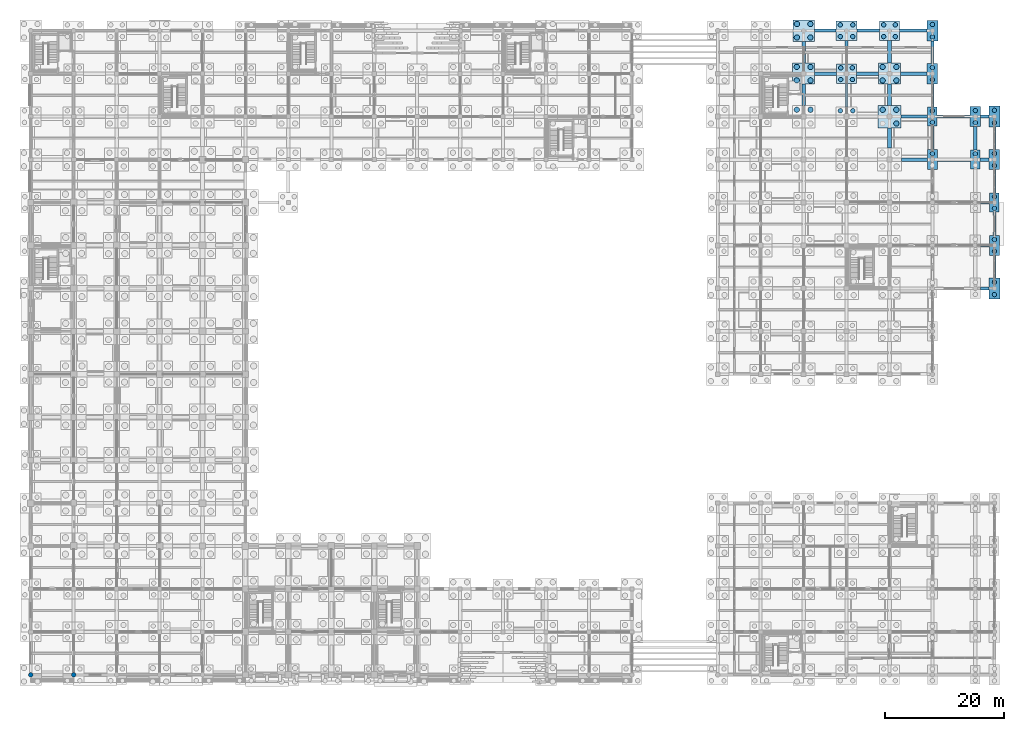
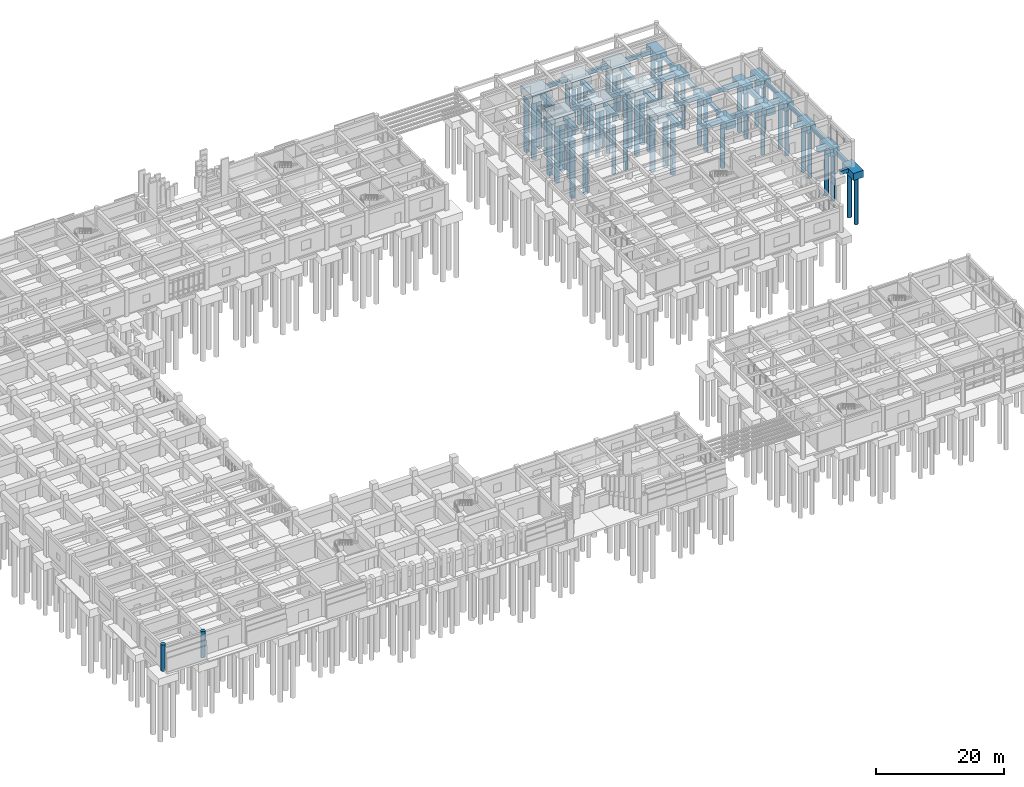
# One storey, part 15 of 79: 51 piles, 48 footings, 2 columns.
"""IFC4 building model written with IfcOpenShell, lengths in metres."""

from ifc_helpers import new_model, si_unit, direction, frame, origin, origin_2d, place, context, subcontext, project, spatial, polyline, rectangle, circle, outline, extrude, material, material_profile, profile_set, type_object, element, save


model = new_model("IFC4")

# Units and contexts
model_context = context("Model", 3, precision=1e-05, world=origin(), true_north=direction((0.0, 1.0)))
body_context = subcontext(model_context, "Body", "Model", "MODEL_VIEW")
ifc_project = project(units=[si_unit("LENGTHUNIT", "METRE"), si_unit("AREAUNIT", "SQUARE_METRE"), si_unit("VOLUMEUNIT", "CUBIC_METRE"), si_unit("PLANEANGLEUNIT", "RADIAN"), si_unit("MASSUNIT", "GRAM", prefix="KILO")], contexts=[model_context])

# Site, building, storey
site_placement = place(None, origin())
site = spatial("IfcSite", under=ifc_project, at=site_placement, CompositionType="ELEMENT")
building_placement = place(site_placement, origin())
building = spatial("IfcBuilding", under=site, at=building_placement, Name="Kavelor Marine Aquarium", CompositionType="ELEMENT")
storey_placement = place(building_placement, origin())
storey = spatial("IfcBuildingStorey", under=building, at=storey_placement, Name="L00", CompositionType="ELEMENT", Elevation=0.0)

# Footings
ifc_material_1 = material(Name="Concrete C40/50", Category="concrete")
footing_type_1 = type_object("IfcFootingType", Name="CAP-PC04", PredefinedType="PILE_CAP", material=ifc_material_1)
footing_1_placement = place(storey_placement, frame((0.0, 0.0, -1.85009765625)))
element("IfcFooting", 1, at=footing_1_placement, inside=storey, type_object=footing_type_1, Name="Pile Cap PC04 (21-N)", PredefinedType="PILE_CAP", context=body_context, shape_type="SweptSolid", body=[
    extrude(outline(polyline([(145.300048828125, 94.5), (149.10009765625, 94.5), (149.10009765625, 98.300048828125), (145.300048828125, 98.300048828125), (145.300048828125, 94.5)])), origin(), (0.0, 0.0, 1.0), 1.5),
])
ifc_material_2 = material(Name="Concrete C40/50", Category="concrete")
footing_type_2 = type_object("IfcFootingType", Name="CAP-PC05", PredefinedType="PILE_CAP", material=ifc_material_2)
footing_2_placement = place(storey_placement, frame((0.0, 0.0, -1.85009765625)))
element("IfcFooting", 2, at=footing_2_placement, inside=storey, type_object=footing_type_2, Name="Pile Cap PC05 (19-O)", PredefinedType="PILE_CAP", context=body_context, shape_type="SweptSolid", body=[
    extrude(outline(polyline([(130.949951171875, 101.85009765625), (134.64990234375, 101.85009765625), (134.64990234375, 105.35009765625), (130.949951171875, 105.35009765625), (130.949951171875, 101.85009765625)])), origin(), (0.0, 0.0, 1.0), 1.5),
])
footing_3_placement = place(storey_placement, frame((0.0, 0.0, -1.85009765625)))
element("IfcFooting", 3, at=footing_3_placement, inside=storey, type_object=footing_type_2, Name="Pile Cap PC05 (21-O)", PredefinedType="PILE_CAP", context=body_context, shape_type="SweptSolid", body=[
    extrude(outline(polyline([(145.35009765625, 101.85009765625), (149.050048828125, 101.85009765625), (149.050048828125, 105.35009765625), (145.35009765625, 105.35009765625), (145.35009765625, 101.85009765625)])), origin(), (0.0, 0.0, 1.0), 1.5),
])
ifc_material_3 = material(Name="Concrete C40/50", Category="concrete")
footing_type_3 = type_object("IfcFootingType", Name="CAP-PC06", PredefinedType="PILE_CAP", material=ifc_material_3)
footing_4_placement = place(storey_placement, frame((0.0, 0.0, -1.800048828125)))
element("IfcFooting", 4, at=footing_4_placement, inside=storey, type_object=footing_type_3, Name="Pile Cap PC06 (19-P)", PredefinedType="PILE_CAP", context=body_context, shape_type="SweptSolid", body=[
    extrude(outline(polyline([(131.0, 109.0), (134.60009765625, 109.0), (134.60009765625, 112.60009765625), (131.0, 112.60009765625), (131.0, 109.0)])), origin(), (0.0, 0.0, 1.0), 1.449951171875),
])
ifc_material_4 = material(Name="Concrete C40/50", Category="concrete")
footing_type_4 = type_object("IfcFootingType", Name="CAP-PC07", PredefinedType="PILE_CAP", material=ifc_material_4)
footing_5_placement = place(storey_placement, frame((0.0, 0.0, -1.75)))
element("IfcFooting", 5, at=footing_5_placement, inside=storey, type_object=footing_type_4, Name="Pile Cap PC07 (20-P)", PredefinedType="PILE_CAP", context=body_context, shape_type="SweptSolid", body=[
    extrude(outline(polyline([(138.25, 109.14990234375), (141.75, 109.14990234375), (141.75, 112.449951171875), (138.25, 112.449951171875), (138.25, 109.14990234375)])), origin(), (0.0, 0.0, 1.0), 1.39990234375),
])
ifc_material_5 = material(Name="Concrete C40/50", Category="concrete")
footing_type_5 = type_object("IfcFootingType", Name="CAP-PC08", PredefinedType="PILE_CAP", material=ifc_material_5)
footing_6_placement = place(storey_placement, frame((0.0, 0.0, -1.75)))
element("IfcFooting", 6, at=footing_6_placement, inside=storey, type_object=footing_type_5, Name="Pile Cap PC08 (20-O)", PredefinedType="PILE_CAP", context=body_context, shape_type="SweptSolid", body=[
    extrude(outline(polyline([(138.35009765625, 101.949951171875), (141.64990234375, 101.949951171875), (141.64990234375, 105.25), (138.35009765625, 105.25), (138.35009765625, 101.949951171875)])), origin(), (0.0, 0.0, 1.0), 1.39990234375),
])
footing_7_placement = place(storey_placement, frame((0.0, 0.0, -1.75)))
element("IfcFooting", 7, at=footing_7_placement, inside=storey, type_object=footing_type_5, Name="Pile Cap PC08 (21-P)", PredefinedType="PILE_CAP", context=body_context, shape_type="SweptSolid", body=[
    extrude(outline(polyline([(145.550048828125, 109.14990234375), (148.85009765625, 109.14990234375), (148.85009765625, 112.449951171875), (145.550048828125, 112.449951171875), (145.550048828125, 109.14990234375)])), origin(), (0.0, 0.0, 1.0), 1.39990234375),
])
ifc_material_6 = material(Name="Concrete C40/50", Category="concrete")
footing_type_6 = type_object("IfcFootingType", Name="CAP-PC09", PredefinedType="PILE_CAP", material=ifc_material_6)
footing_8_placement = place(storey_placement, frame((0.0, 0.0, -1.699951171875)))
element("IfcFooting", 8, at=footing_8_placement, inside=storey, type_object=footing_type_6, Name="Pile Cap PC09 (22-P)", PredefinedType="PILE_CAP", context=body_context, shape_type="SweptSolid", body=[
    extrude(outline(polyline([(153.5, 109.050048828125), (155.300048828125, 109.050048828125), (155.300048828125, 112.550048828125), (153.5, 112.550048828125), (153.5, 109.050048828125)])), origin(), (0.0, 0.0, 1.0), 1.349853515625),
])
footing_9_placement = place(storey_placement, frame((0.0, 0.0, -1.699951171875)))
element("IfcFooting", 9, at=footing_9_placement, inside=storey, type_object=footing_type_6, Name="Pile Cap PC09 (24-J)", PredefinedType="PILE_CAP", context=body_context, shape_type="SweptSolid", body=[
    extrude(outline(polyline([(163.89990234375, 65.85009765625), (165.699951171875, 65.85009765625), (165.699951171875, 69.35009765625), (163.89990234375, 69.35009765625), (163.89990234375, 65.85009765625)])), origin(), (0.0, 0.0, 1.0), 1.349853515625),
])
footing_10_placement = place(storey_placement, frame((0.0, 0.0, -1.699951171875)))
element("IfcFooting", 10, at=footing_10_placement, inside=storey, type_object=footing_type_6, Name="Pile Cap PC09 (24-N)", PredefinedType="PILE_CAP", context=body_context, shape_type="SweptSolid", body=[
    extrude(outline(polyline([(163.89990234375, 94.64990234375), (165.699951171875, 94.64990234375), (165.699951171875, 98.14990234375), (163.89990234375, 98.14990234375), (163.89990234375, 94.64990234375)])), origin(), (0.0, 0.0, 1.0), 1.349853515625),
])
ifc_material_7 = material(Name="Concrete C40/50", Category="concrete")
footing_type_7 = type_object("IfcFootingType", Name="CAP-PC10", PredefinedType="PILE_CAP", material=ifc_material_7)
footing_11_placement = place(storey_placement, frame((0.0, 0.0, -1.699951171875)))
element("IfcFooting", 11, at=footing_11_placement, inside=storey, type_object=footing_type_7, Name="Pile Cap PC10 (22-M)", PredefinedType="PILE_CAP", context=body_context, shape_type="SweptSolid", body=[
    extrude(outline(polyline([(153.550048828125, 87.550048828125), (155.25, 87.550048828125), (155.25, 90.85009765625), (153.550048828125, 90.85009765625), (153.550048828125, 87.550048828125)])), origin(), (0.0, 0.0, 1.0), 1.349853515625),
])
footing_12_placement = place(storey_placement, frame((0.0, 0.0, -1.699951171875)))
element("IfcFooting", 12, at=footing_12_placement, inside=storey, type_object=footing_type_7, Name="Pile Cap PC10 (24-K)", PredefinedType="PILE_CAP", context=body_context, shape_type="SweptSolid", body=[
    extrude(outline(polyline([(163.949951171875, 73.14990234375), (165.64990234375, 73.14990234375), (165.64990234375, 76.449951171875), (163.949951171875, 76.449951171875), (163.949951171875, 73.14990234375)])), origin(), (0.0, 0.0, 1.0), 1.349853515625),
])
ifc_material_8 = material(Name="Concrete C40/50", Category="concrete")
footing_type_8 = type_object("IfcFootingType", Name="CAP-PC11", PredefinedType="PILE_CAP", material=ifc_material_8)
footing_13_placement = place(storey_placement, frame((0.0, 0.0, -1.64990234375)))
element("IfcFooting", 13, at=footing_13_placement, inside=storey, type_object=footing_type_8, Name="Pile Cap PC11 (22-N)", PredefinedType="PILE_CAP", context=body_context, shape_type="SweptSolid", body=[
    extrude(outline(polyline([(153.60009765625, 94.824951171875), (155.199951171875, 94.824951171875), (155.199951171875, 97.97509765625), (153.60009765625, 97.97509765625), (153.60009765625, 94.824951171875)])), origin(), (0.0, 0.0, 1.0), 1.2998046875),
])
footing_14_placement = place(storey_placement, frame((0.0, 0.0, -1.64990234375)))
element("IfcFooting", 14, at=footing_14_placement, inside=storey, type_object=footing_type_8, Name="Pile Cap PC11 (23-M)", PredefinedType="PILE_CAP", context=body_context, shape_type="SweptSolid", body=[
    extrude(outline(polyline([(160.800048828125, 87.625), (162.39990234375, 87.625), (162.39990234375, 90.77490234375), (160.800048828125, 90.77490234375), (160.800048828125, 87.625)])), origin(), (0.0, 0.0, 1.0), 1.2998046875),
])
footing_15_placement = place(storey_placement, frame((0.0, 0.0, -1.64990234375)))
element("IfcFooting", 15, at=footing_15_placement, inside=storey, type_object=footing_type_8, Name="Pile Cap PC11 (24-L)", PredefinedType="PILE_CAP", context=body_context, shape_type="SweptSolid", body=[
    extrude(outline(polyline([(164.0, 80.425048828125), (165.60009765625, 80.425048828125), (165.60009765625, 83.574951171875), (164.0, 83.574951171875), (164.0, 80.425048828125)])), origin(), (0.0, 0.0, 1.0), 1.2998046875),
])
ifc_material_9 = material(Name="Concrete C40/50", Category="concrete")
footing_type_9 = type_object("IfcFootingType", Name="CAP-PC12", PredefinedType="PILE_CAP", material=ifc_material_9)
footing_16_placement = place(storey_placement, frame((0.0, 0.0, -1.699951171875)))
element("IfcFooting", 16, at=footing_16_placement, inside=storey, type_object=footing_type_9, Name="Pile Cap PC12 (22-O)", PredefinedType="PILE_CAP", context=body_context, shape_type="SweptSolid", body=[
    extrude(outline(polyline([(153.52490234375, 101.89990234375), (155.27490234375, 101.89990234375), (155.27490234375, 105.300048828125), (153.52490234375, 105.300048828125), (153.52490234375, 101.89990234375)])), origin(), (0.0, 0.0, 1.0), 1.349853515625),
])
footing_17_placement = place(storey_placement, frame((0.0, 0.0, -1.699951171875)))
element("IfcFooting", 17, at=footing_17_placement, inside=storey, type_object=footing_type_9, Name="Pile Cap PC12 (23-N)", PredefinedType="PILE_CAP", context=body_context, shape_type="SweptSolid", body=[
    extrude(outline(polyline([(160.72509765625, 94.699951171875), (162.47509765625, 94.699951171875), (162.47509765625, 98.10009765625), (160.72509765625, 98.10009765625), (160.72509765625, 94.699951171875)])), origin(), (0.0, 0.0, 1.0), 1.349853515625),
])
footing_18_placement = place(storey_placement, frame((0.0, 0.0, -1.699951171875)))
element("IfcFooting", 18, at=footing_18_placement, inside=storey, type_object=footing_type_9, Name="Pile Cap PC12 (24-M)", PredefinedType="PILE_CAP", context=body_context, shape_type="SweptSolid", body=[
    extrude(outline(polyline([(163.925048828125, 87.5), (165.675048828125, 87.5), (165.675048828125, 90.89990234375), (163.925048828125, 90.89990234375), (163.925048828125, 87.5)])), origin(), (0.0, 0.0, 1.0), 1.349853515625),
])
ifc_material_10 = material(Name="Concrete C40/50", Category="concrete")
ifc_material_profile_1 = material_profile(ifc_material_10, rectangle(XDim=0.60009765625, YDim=0.800048828125, at=origin_2d()), Name="GB 600x800")
ifc_profile_set_1 = profile_set([ifc_material_profile_1], Name="Concrete C40/50")
footing_type_10 = type_object("IfcFootingType", Name="FTB-GB1", PredefinedType="FOOTING_BEAM", material=ifc_profile_set_1)
footing_19_placement = place(storey_placement, frame((132.800048828125, 98.300048828125, -0.75), z_axis=(0.0, 1.0, 0.0), x_axis=(-1.0, 0.0, 0.0)))
element("IfcFooting", 19, at=footing_19_placement, inside=storey, type_object=footing_type_10, Name="ftb:y:18_13", PredefinedType="FOOTING_BEAM", context=body_context, shape_type="SweptSolid", body=[
    extrude(rectangle(XDim=0.60009765625, YDim=0.800048828125, at=origin_2d()), origin(), (0.0, 0.0, 1.0), 3.550048828125),
])
footing_20_placement = place(storey_placement, frame((134.64990234375, 103.60009765625, -0.75), z_axis=(1.0, 0.0, 0.0), x_axis=(0.0, 1.0, 0.0)))
element("IfcFooting", 20, at=footing_20_placement, inside=storey, type_object=footing_type_10, Name="ftb:x:18_14", PredefinedType="FOOTING_BEAM", context=body_context, shape_type="SweptSolid", body=[
    extrude(rectangle(XDim=0.60009765625, YDim=0.800048828125, at=origin_2d()), origin(), (0.0, 0.0, 1.0), 3.7001953125),
])
footing_21_placement = place(storey_placement, frame((132.800048828125, 105.35009765625, -0.75), z_axis=(0.0, 1.0, 0.0), x_axis=(-1.0, 0.0, 0.0)))
element("IfcFooting", 21, at=footing_21_placement, inside=storey, type_object=footing_type_10, Name="ftb:y:18_14", PredefinedType="FOOTING_BEAM", context=body_context, shape_type="SweptSolid", body=[
    extrude(rectangle(XDim=0.60009765625, YDim=0.800048828125, at=origin_2d()), origin(), (0.0, 0.0, 1.0), 3.64990234375),
])
footing_22_placement = place(storey_placement, frame((141.64990234375, 103.60009765625, -0.75), z_axis=(1.0, 0.0, 0.0), x_axis=(0.0, 1.0, 0.0)))
element("IfcFooting", 22, at=footing_22_placement, inside=storey, type_object=footing_type_10, Name="ftb:x:19_14", PredefinedType="FOOTING_BEAM", context=body_context, shape_type="SweptSolid", body=[
    extrude(rectangle(XDim=0.60009765625, YDim=0.800048828125, at=origin_2d()), origin(), (0.0, 0.0, 1.0), 3.7001953125),
])
footing_23_placement = place(storey_placement, frame((149.199951171875, 89.199951171875, -0.75), z_axis=(1.0, 0.0, 0.0), x_axis=(0.0, 1.0, 0.0)))
element("IfcFooting", 23, at=footing_23_placement, inside=storey, type_object=footing_type_10, Name="ftb:x:20_12", PredefinedType="FOOTING_BEAM", context=body_context, shape_type="SweptSolid", body=[
    extrude(rectangle(XDim=0.60009765625, YDim=0.800048828125, at=origin_2d()), origin(), (0.0, 0.0, 1.0), 4.35009765625),
])
footing_24_placement = place(storey_placement, frame((147.199951171875, 91.10009765625, -0.75), z_axis=(0.0, 1.0, 0.0), x_axis=(-1.0, 0.0, 0.0)))
element("IfcFooting", 24, at=footing_24_placement, inside=storey, type_object=footing_type_10, Name="ftb:y:20_12", PredefinedType="FOOTING_BEAM", context=body_context, shape_type="SweptSolid", body=[
    extrude(rectangle(XDim=0.60009765625, YDim=0.800048828125, at=origin_2d()), origin(), (0.0, 0.0, 1.0), 3.39990234375),
])
footing_25_placement = place(storey_placement, frame((147.199951171875, 98.300048828125, -0.75), z_axis=(0.0, 1.0, 0.0), x_axis=(-1.0, 0.0, 0.0)))
element("IfcFooting", 25, at=footing_25_placement, inside=storey, type_object=footing_type_10, Name="ftb:y:20_13", PredefinedType="FOOTING_BEAM", context=body_context, shape_type="SweptSolid", body=[
    extrude(rectangle(XDim=0.60009765625, YDim=0.800048828125, at=origin_2d()), origin(), (0.0, 0.0, 1.0), 3.550048828125),
])
footing_26_placement = place(storey_placement, frame((149.050048828125, 103.60009765625, -0.75), z_axis=(1.0, 0.0, 0.0), x_axis=(0.0, 1.0, 0.0)))
element("IfcFooting", 26, at=footing_26_placement, inside=storey, type_object=footing_type_10, Name="ftb:x:20_14", PredefinedType="FOOTING_BEAM", context=body_context, shape_type="SweptSolid", body=[
    extrude(rectangle(XDim=0.60009765625, YDim=0.800048828125, at=origin_2d()), origin(), (0.0, 0.0, 1.0), 4.474853515625),
])
footing_27_placement = place(storey_placement, frame((147.199951171875, 105.35009765625, -0.75), z_axis=(0.0, 1.0, 0.0), x_axis=(-1.0, 0.0, 0.0)))
element("IfcFooting", 27, at=footing_27_placement, inside=storey, type_object=footing_type_10, Name="ftb:y:20_14", PredefinedType="FOOTING_BEAM", context=body_context, shape_type="SweptSolid", body=[
    extrude(rectangle(XDim=0.60009765625, YDim=0.800048828125, at=origin_2d()), origin(), (0.0, 0.0, 1.0), 3.7998046875),
])
footing_28_placement = place(storey_placement, frame((155.25, 89.199951171875, -0.75), z_axis=(1.0, 0.0, 0.0), x_axis=(0.0, 1.0, 0.0)))
element("IfcFooting", 28, at=footing_28_placement, inside=storey, type_object=footing_type_10, Name="ftb:x:21_12", PredefinedType="FOOTING_BEAM", context=body_context, shape_type="SweptSolid", body=[
    extrude(rectangle(XDim=0.60009765625, YDim=0.800048828125, at=origin_2d()), origin(), (0.0, 0.0, 1.0), 5.550048828125),
])
footing_29_placement = place(storey_placement, frame((162.5, 74.800048828125, -0.75), z_axis=(1.0, 0.0, 0.0), x_axis=(0.0, 1.0, 0.0)))
element("IfcFooting", 29, at=footing_29_placement, inside=storey, type_object=footing_type_10, Name="ftb:x:22_10", PredefinedType="FOOTING_BEAM", context=body_context, shape_type="SweptSolid", body=[
    extrude(rectangle(XDim=0.60009765625, YDim=0.800048828125, at=origin_2d()), origin(), (0.0, 0.0, 1.0), 1.449951171875),
])
footing_30_placement = place(storey_placement, frame((162.39990234375, 89.199951171875, -0.75), z_axis=(1.0, 0.0, 0.0), x_axis=(0.0, 1.0, 0.0)))
element("IfcFooting", 30, at=footing_30_placement, inside=storey, type_object=footing_type_10, Name="ftb:x:22_12", PredefinedType="FOOTING_BEAM", context=body_context, shape_type="SweptSolid", body=[
    extrude(rectangle(XDim=0.60009765625, YDim=0.800048828125, at=origin_2d()), origin(), (0.0, 0.0, 1.0), 1.525146484375),
])
footing_31_placement = place(storey_placement, frame((161.60009765625, 90.77490234375, -0.75), z_axis=(0.0, 1.0, 0.0), x_axis=(-1.0, 0.0, 0.0)))
element("IfcFooting", 31, at=footing_31_placement, inside=storey, type_object=footing_type_10, Name="ftb:y:22_12", PredefinedType="FOOTING_BEAM", context=body_context, shape_type="SweptSolid", body=[
    extrude(rectangle(XDim=0.60009765625, YDim=0.800048828125, at=origin_2d()), origin(), (0.0, 0.0, 1.0), 3.925048828125),
])
ifc_material_11 = material(Name="Concrete C40/50", Category="concrete")
ifc_material_profile_2 = material_profile(ifc_material_11, rectangle(XDim=0.5, YDim=0.699951171875, at=origin_2d()), Name="GB 500x700")
ifc_profile_set_2 = profile_set([ifc_material_profile_2], Name="Concrete C40/50")
footing_type_11 = type_object("IfcFootingType", Name="FTB-GB2", PredefinedType="FOOTING_BEAM", material=ifc_profile_set_2)
footing_32_placement = place(storey_placement, frame((134.60009765625, 110.800048828125, -0.699951171875), z_axis=(1.0, 0.0, 0.0), x_axis=(0.0, 1.0, 0.0)))
element("IfcFooting", 32, at=footing_32_placement, inside=storey, type_object=footing_type_11, Name="ftb:x:18_15", PredefinedType="FOOTING_BEAM", context=body_context, shape_type="SweptSolid", body=[
    extrude(rectangle(XDim=0.5, YDim=0.699951171875, at=origin_2d()), origin(), (0.0, 0.0, 1.0), 3.64990234375),
])
for number, where, z_axis, x_axis, name in (
    (33, (140.0, 98.050048828125, -0.699951171875), (0.0, 1.0, 0.0), (-1.0, 0.0, 0.0), "ftb:y:19_13"),
    (34, (140.0, 105.25, -0.699951171875), (0.0, 1.0, 0.0), (-1.0, 0.0, 0.0), "ftb:y:19_14"),
):
    element("IfcFooting", number, at=place(storey_placement, frame(where, z_axis=z_axis, x_axis=x_axis)), inside=storey, type_object=footing_type_11, Name=name, PredefinedType="FOOTING_BEAM", context=body_context, shape_type="SweptSolid", body=[
        extrude(rectangle(XDim=0.5, YDim=0.699951171875, at=origin_2d()), origin(), (0.0, 0.0, 1.0), 3.89990234375),
    ])
footing_33_placement = place(storey_placement, frame((141.75, 110.800048828125, -0.699951171875), z_axis=(1.0, 0.0, 0.0), x_axis=(0.0, 1.0, 0.0)))
element("IfcFooting", 35, at=footing_33_placement, inside=storey, type_object=footing_type_11, Name="ftb:x:19_15", PredefinedType="FOOTING_BEAM", context=body_context, shape_type="SweptSolid", body=[
    extrude(rectangle(XDim=0.5, YDim=0.699951171875, at=origin_2d()), origin(), (0.0, 0.0, 1.0), 3.800048828125),
])
footing_34_placement = place(storey_placement, frame((149.10009765625, 96.39990234375, -0.699951171875), z_axis=(1.0, 0.0, 0.0), x_axis=(0.0, 1.0, 0.0)))
element("IfcFooting", 36, at=footing_34_placement, inside=storey, type_object=footing_type_11, Name="ftb:x:20_13", PredefinedType="FOOTING_BEAM", context=body_context, shape_type="SweptSolid", body=[
    extrude(rectangle(XDim=0.5, YDim=0.699951171875, at=origin_2d()), origin(), (0.0, 0.0, 1.0), 4.5),
])
footing_35_placement = place(storey_placement, frame((148.85009765625, 110.800048828125, -0.699951171875), z_axis=(1.0, 0.0, 0.0), x_axis=(0.0, 1.0, 0.0)))
element("IfcFooting", 37, at=footing_35_placement, inside=storey, type_object=footing_type_11, Name="ftb:x:20_15", PredefinedType="FOOTING_BEAM", context=body_context, shape_type="SweptSolid", body=[
    extrude(rectangle(XDim=0.5, YDim=0.699951171875, at=origin_2d()), origin(), (0.0, 0.0, 1.0), 4.64990234375),
])
footing_36_placement = place(storey_placement, frame((154.39990234375, 90.85009765625, -0.699951171875), z_axis=(0.0, 1.0, 0.0), x_axis=(-1.0, 0.0, 0.0)))
element("IfcFooting", 38, at=footing_36_placement, inside=storey, type_object=footing_type_11, Name="ftb:y:21_12", PredefinedType="FOOTING_BEAM", context=body_context, shape_type="SweptSolid", body=[
    extrude(rectangle(XDim=0.5, YDim=0.699951171875, at=origin_2d()), origin(), (0.0, 0.0, 1.0), 3.974853515625),
])
footing_37_placement = place(storey_placement, frame((155.199951171875, 96.39990234375, -0.699951171875), z_axis=(1.0, 0.0, 0.0), x_axis=(0.0, 1.0, 0.0)))
element("IfcFooting", 39, at=footing_37_placement, inside=storey, type_object=footing_type_11, Name="ftb:x:21_13", PredefinedType="FOOTING_BEAM", context=body_context, shape_type="SweptSolid", body=[
    extrude(rectangle(XDim=0.5, YDim=0.699951171875, at=origin_2d()), origin(), (0.0, 0.0, 1.0), 5.525146484375),
])
footing_38_placement = place(storey_placement, frame((154.39990234375, 97.97509765625, -0.699951171875), z_axis=(0.0, 1.0, 0.0), x_axis=(-1.0, 0.0, 0.0)))
element("IfcFooting", 40, at=footing_38_placement, inside=storey, type_object=footing_type_11, Name="ftb:y:21_13", PredefinedType="FOOTING_BEAM", context=body_context, shape_type="SweptSolid", body=[
    extrude(rectangle(XDim=0.5, YDim=0.699951171875, at=origin_2d()), origin(), (0.0, 0.0, 1.0), 3.9248046875),
])
footing_39_placement = place(storey_placement, frame((154.39990234375, 105.300048828125, -0.699951171875), z_axis=(0.0, 1.0, 0.0), x_axis=(-1.0, 0.0, 0.0)))
element("IfcFooting", 41, at=footing_39_placement, inside=storey, type_object=footing_type_11, Name="ftb:y:21_14", PredefinedType="FOOTING_BEAM", context=body_context, shape_type="SweptSolid", body=[
    extrude(rectangle(XDim=0.5, YDim=0.699951171875, at=origin_2d()), origin(), (0.0, 0.0, 1.0), 3.75),
])
footing_40_placement = place(storey_placement, frame((162.47509765625, 67.60009765625, -0.699951171875), z_axis=(1.0, 0.0, 0.0), x_axis=(0.0, 1.0, 0.0)))
element("IfcFooting", 42, at=footing_40_placement, inside=storey, type_object=footing_type_11, Name="ftb:x:22_09", PredefinedType="FOOTING_BEAM", context=body_context, shape_type="SweptSolid", body=[
    extrude(rectangle(XDim=0.5, YDim=0.699951171875, at=origin_2d()), origin(), (0.0, 0.0, 1.0), 1.4248046875),
])
footing_41_placement = place(storey_placement, frame((162.449951171875, 82.0, -0.699951171875), z_axis=(1.0, 0.0, 0.0), x_axis=(0.0, 1.0, 0.0)))
element("IfcFooting", 43, at=footing_41_placement, inside=storey, type_object=footing_type_11, Name="ftb:x:22_11", PredefinedType="FOOTING_BEAM", context=body_context, shape_type="SweptSolid", body=[
    extrude(rectangle(XDim=0.5, YDim=0.699951171875, at=origin_2d()), origin(), (0.0, 0.0, 1.0), 1.550048828125),
])
footing_42_placement = place(storey_placement, frame((162.47509765625, 96.39990234375, -0.699951171875), z_axis=(1.0, 0.0, 0.0), x_axis=(0.0, 1.0, 0.0)))
element("IfcFooting", 44, at=footing_42_placement, inside=storey, type_object=footing_type_11, Name="ftb:x:22_13", PredefinedType="FOOTING_BEAM", context=body_context, shape_type="SweptSolid", body=[
    extrude(rectangle(XDim=0.5, YDim=0.699951171875, at=origin_2d()), origin(), (0.0, 0.0, 1.0), 1.4248046875),
])
footing_43_placement = place(storey_placement, frame((164.800048828125, 69.35009765625, -0.699951171875), z_axis=(0.0, 1.0, 0.0), x_axis=(-1.0, 0.0, 0.0)))
element("IfcFooting", 45, at=footing_43_placement, inside=storey, type_object=footing_type_11, Name="ftb:y:23_09", PredefinedType="FOOTING_BEAM", context=body_context, shape_type="SweptSolid", body=[
    extrude(rectangle(XDim=0.5, YDim=0.699951171875, at=origin_2d()), origin(), (0.0, 0.0, 1.0), 3.7998046875),
])
footing_44_placement = place(storey_placement, frame((164.800048828125, 76.449951171875, -0.699951171875), z_axis=(0.0, 1.0, 0.0), x_axis=(-1.0, 0.0, 0.0)))
element("IfcFooting", 46, at=footing_44_placement, inside=storey, type_object=footing_type_11, Name="ftb:y:23_10", PredefinedType="FOOTING_BEAM", context=body_context, shape_type="SweptSolid", body=[
    extrude(rectangle(XDim=0.5, YDim=0.699951171875, at=origin_2d()), origin(), (0.0, 0.0, 1.0), 3.97509765625),
])
footing_45_placement = place(storey_placement, frame((164.800048828125, 83.574951171875, -0.699951171875), z_axis=(0.0, 1.0, 0.0), x_axis=(-1.0, 0.0, 0.0)))
element("IfcFooting", 47, at=footing_45_placement, inside=storey, type_object=footing_type_11, Name="ftb:y:23_11", PredefinedType="FOOTING_BEAM", context=body_context, shape_type="SweptSolid", body=[
    extrude(rectangle(XDim=0.5, YDim=0.699951171875, at=origin_2d()), origin(), (0.0, 0.0, 1.0), 3.925048828125),
])
footing_46_placement = place(storey_placement, frame((164.800048828125, 90.89990234375, -0.699951171875), z_axis=(0.0, 1.0, 0.0), x_axis=(-1.0, 0.0, 0.0)))
element("IfcFooting", 48, at=footing_46_placement, inside=storey, type_object=footing_type_11, Name="ftb:y:23_12", PredefinedType="FOOTING_BEAM", context=body_context, shape_type="SweptSolid", body=[
    extrude(rectangle(XDim=0.5, YDim=0.699951171875, at=origin_2d()), origin(), (0.0, 0.0, 1.0), 3.75),
])

# Piles
ifc_material_12 = material(Name="Concrete C40/50", Category="concrete")
ifc_material_profile_3 = material_profile(ifc_material_12, circle(Radius=0.449951171875, at=origin_2d()), Name="PILE D900")
ifc_profile_set_3 = profile_set([ifc_material_profile_3], Name="Concrete C40/50")
pile_type_1 = type_object("IfcPileType", Name="PILE-P2", PredefinedType="BORED", material=ifc_profile_set_3)
for number, where, z_axis, x_axis, name in (
    (49, (131.64990234375, 97.550048828125, -1.75), (0.0, 0.0, -1.0), (1.0, 0.0, 0.0), "Bored Pile P2 (19-N-3)"),
    (50, (133.949951171875, 97.550048828125, -1.75), (0.0, 0.0, -1.0), (1.0, 0.0, 0.0), "Bored Pile P2 (19-N-4)"),
    (51, (131.64990234375, 102.469970703125, -1.75), (0.0, 0.0, -1.0), (1.0, 0.0, 0.0), "Bored Pile P2 (19-O-1)"),
    (52, (133.949951171875, 102.469970703125, -1.75), (0.0, 0.0, -1.0), (1.0, 0.0, 0.0), "Bored Pile P2 (19-O-2)"),
    (53, (131.64990234375, 104.72998046875, -1.75), (0.0, 0.0, -1.0), (1.0, 0.0, 0.0), "Bored Pile P2 (19-O-3)"),
    (54, (133.949951171875, 104.72998046875, -1.75), (0.0, 0.0, -1.0), (1.0, 0.0, 0.0), "Bored Pile P2 (19-O-4)"),
    (55, (131.669921875, 109.669921875, -1.699951171875), (0.0, 0.0, -1.0), (1.0, 0.0, 0.0), "Bored Pile P2 (19-P-1)"),
    (56, (133.929931640625, 109.669921875, -1.699951171875), (0.0, 0.0, -1.0), (1.0, 0.0, 0.0), "Bored Pile P2 (19-P-2)"),
    (57, (131.669921875, 111.929931640625, -1.699951171875), (0.0, 0.0, -1.0), (1.0, 0.0, 0.0), "Bored Pile P2 (19-P-3)"),
    (58, (133.929931640625, 111.929931640625, -1.699951171875), (0.0, 0.0, -1.0), (1.0, 0.0, 0.0), "Bored Pile P2 (19-P-4)"),
    (59, (148.35009765625, 95.25, -1.75), (0.0, 0.0, -1.0), (1.0, 0.0, 0.0), "Bored Pile P2 (21-N-2)"),
    (60, (146.050048828125, 97.550048828125, -1.75), (0.0, 0.0, -1.0), (1.0, 0.0, 0.0), "Bored Pile P2 (21-N-3)"),
    (61, (148.35009765625, 97.550048828125, -1.75), (0.0, 0.0, -1.0), (1.0, 0.0, 0.0), "Bored Pile P2 (21-N-4)"),
    (62, (146.050048828125, 102.469970703125, -1.75), (0.0, 0.0, -1.0), (1.0, 0.0, 0.0), "Bored Pile P2 (21-O-1)"),
    (63, (148.35009765625, 102.469970703125, -1.75), (0.0, 0.0, -1.0), (1.0, 0.0, 0.0), "Bored Pile P2 (21-O-2)"),
    (64, (146.050048828125, 104.72998046875, -1.75), (0.0, 0.0, -1.0), (1.0, 0.0, 0.0), "Bored Pile P2 (21-O-3)"),
    (65, (148.35009765625, 104.72998046875, -1.75), (0.0, 0.0, -1.0), (1.0, 0.0, 0.0), "Bored Pile P2 (21-O-4)"),
):
    element("IfcPile", number, at=place(storey_placement, frame(where, z_axis=z_axis, x_axis=x_axis)), inside=storey, type_object=pile_type_1, Name=name, PredefinedType="BORED", context=body_context, shape_type="SweptSolid", body=[
        extrude(circle(Radius=0.449951171875, at=origin_2d()), origin(), (0.0, 0.0, 1.0), 11.0),
    ])
ifc_material_13 = material(Name="Concrete C40/50", Category="concrete")
ifc_material_profile_4 = material_profile(ifc_material_13, circle(Radius=0.375, at=origin_2d()), Name="PILE D750")
ifc_profile_set_4 = profile_set([ifc_material_profile_4], Name="Concrete C40/50")
pile_type_2 = type_object("IfcPileType", Name="PILE-P3", PredefinedType="BORED", material=ifc_profile_set_4)
for number, where, z_axis, x_axis, name in (
    (66, (138.949951171875, 97.3798828125, -1.64990234375), (0.0, 0.0, -1.0), (1.0, 0.0, 0.0), "Bored Pile P3 (20-N-3)"),
    (67, (141.050048828125, 97.3798828125, -1.64990234375), (0.0, 0.0, -1.0), (1.0, 0.0, 0.0), "Bored Pile P3 (20-N-4)"),
    (68, (139.02001953125, 102.6201171875, -1.64990234375), (0.0, 0.0, -1.0), (1.0, 0.0, 0.0), "Bored Pile P3 (20-O-1)"),
    (69, (140.97998046875, 102.6201171875, -1.64990234375), (0.0, 0.0, -1.0), (1.0, 0.0, 0.0), "Bored Pile P3 (20-O-2)"),
    (70, (139.02001953125, 104.580078125, -1.64990234375), (0.0, 0.0, -1.0), (1.0, 0.0, 0.0), "Bored Pile P3 (20-O-3)"),
    (71, (140.97998046875, 104.580078125, -1.64990234375), (0.0, 0.0, -1.0), (1.0, 0.0, 0.0), "Bored Pile P3 (20-O-4)"),
    (72, (138.949951171875, 109.820068359375, -1.64990234375), (0.0, 0.0, -1.0), (1.0, 0.0, 0.0), "Bored Pile P3 (20-P-1)"),
    (73, (141.050048828125, 109.820068359375, -1.64990234375), (0.0, 0.0, -1.0), (1.0, 0.0, 0.0), "Bored Pile P3 (20-P-2)"),
    (74, (138.949951171875, 111.780029296875, -1.64990234375), (0.0, 0.0, -1.0), (1.0, 0.0, 0.0), "Bored Pile P3 (20-P-3)"),
    (75, (141.050048828125, 111.780029296875, -1.64990234375), (0.0, 0.0, -1.0), (1.0, 0.0, 0.0), "Bored Pile P3 (20-P-4)"),
    (76, (146.219970703125, 109.820068359375, -1.64990234375), (0.0, 0.0, -1.0), (1.0, 0.0, 0.0), "Bored Pile P3 (21-P-1)"),
    (77, (148.179931640625, 109.820068359375, -1.64990234375), (0.0, 0.0, -1.0), (1.0, 0.0, 0.0), "Bored Pile P3 (21-P-2)"),
    (78, (146.219970703125, 111.780029296875, -1.64990234375), (0.0, 0.0, -1.0), (1.0, 0.0, 0.0), "Bored Pile P3 (21-P-3)"),
    (79, (148.179931640625, 111.780029296875, -1.64990234375), (0.0, 0.0, -1.0), (1.0, 0.0, 0.0), "Bored Pile P3 (21-P-4)"),
    (80, (154.39990234375, 90.179931640625, -1.60009765625), (0.0, 0.0, -1.0), (1.0, 0.0, 0.0), "Bored Pile P3 (22-M-2)"),
    (81, (154.39990234375, 95.43994140625, -1.550048828125), (0.0, 0.0, -1.0), (1.0, 0.0, 0.0), "Bored Pile P3 (22-N-1)"),
    (82, (154.39990234375, 97.360107421875, -1.550048828125), (0.0, 0.0, -1.0), (1.0, 0.0, 0.0), "Bored Pile P3 (22-N-2)"),
    (83, (154.39990234375, 102.580078125, -1.60009765625), (0.0, 0.0, -1.0), (1.0, 0.0, 0.0), "Bored Pile P3 (22-O-1)"),
    (84, (154.39990234375, 104.6201171875, -1.60009765625), (0.0, 0.0, -1.0), (1.0, 0.0, 0.0), "Bored Pile P3 (22-O-2)"),
    (85, (154.39990234375, 109.75, -1.60009765625), (0.0, 0.0, -1.0), (1.0, 0.0, 0.0), "Bored Pile P3 (22-P-1)"),
    (86, (154.39990234375, 111.85009765625, -1.60009765625), (0.0, 0.0, -1.0), (1.0, 0.0, 0.0), "Bored Pile P3 (22-P-2)"),
    (87, (161.60009765625, 90.159912109375, -1.550048828125), (0.0, 0.0, -1.0), (1.0, 0.0, 0.0), "Bored Pile P3 (23-M-2)"),
    (88, (161.60009765625, 95.3798828125, -1.60009765625), (0.0, 0.0, -1.0), (1.0, 0.0, 0.0), "Bored Pile P3 (23-N-1)"),
    (89, (161.60009765625, 97.419921875, -1.60009765625), (0.0, 0.0, -1.0), (1.0, 0.0, 0.0), "Bored Pile P3 (23-N-2)"),
    (90, (164.800048828125, 66.550048828125, -1.60009765625), (0.0, 0.0, -1.0), (1.0, 0.0, 0.0), "Bored Pile P3 (24-J-1)"),
    (91, (164.800048828125, 68.64990234375, -1.60009765625), (0.0, 0.0, -1.0), (1.0, 0.0, 0.0), "Bored Pile P3 (24-J-2)"),
    (92, (164.800048828125, 73.820068359375, -1.60009765625), (0.0, 0.0, -1.0), (1.0, 0.0, 0.0), "Bored Pile P3 (24-K-1)"),
    (93, (164.800048828125, 75.780029296875, -1.60009765625), (0.0, 0.0, -1.0), (1.0, 0.0, 0.0), "Bored Pile P3 (24-K-2)"),
    (94, (164.800048828125, 81.0400390625, -1.550048828125), (0.0, 0.0, -1.0), (1.0, 0.0, 0.0), "Bored Pile P3 (24-L-1)"),
    (95, (164.800048828125, 82.9599609375, -1.550048828125), (0.0, 0.0, -1.0), (1.0, 0.0, 0.0), "Bored Pile P3 (24-L-2)"),
    (96, (164.800048828125, 88.179931640625, -1.60009765625), (0.0, 0.0, -1.0), (1.0, 0.0, 0.0), "Bored Pile P3 (24-M-1)"),
    (97, (164.800048828125, 90.219970703125, -1.60009765625), (0.0, 0.0, -1.0), (1.0, 0.0, 0.0), "Bored Pile P3 (24-M-2)"),
    (98, (164.800048828125, 95.35009765625, -1.60009765625), (0.0, 0.0, -1.0), (1.0, 0.0, 0.0), "Bored Pile P3 (24-N-1)"),
    (99, (164.800048828125, 97.449951171875, -1.60009765625), (0.0, 0.0, -1.0), (1.0, 0.0, 0.0), "Bored Pile P3 (24-N-2)"),
):
    element("IfcPile", number, at=place(storey_placement, frame(where, z_axis=z_axis, x_axis=x_axis)), inside=storey, type_object=pile_type_2, Name=name, PredefinedType="BORED", context=body_context, shape_type="SweptSolid", body=[
        extrude(circle(Radius=0.375, at=origin_2d()), origin(), (0.0, 0.0, 1.0), 9.0),
    ])

# Columns
ifc_material_14 = material(Name="Concrete C40/50", Category="concrete")
ifc_material_profile_5 = material_profile(ifc_material_14, circle(Radius=0.375, at=origin_2d()), Name="RC-COL D750")
ifc_profile_set_5 = profile_set([ifc_material_profile_5], Name="Concrete C40/50")
column_type = type_object("IfcColumnType", Name="COL-C7", PredefinedType="COLUMN", material=ifc_profile_set_5)
for number, where, z_axis, x_axis, name in (
    (100, (3.199951171875, 2.800048828125, -0.35009765625), (0.0, 0.0, 1.0), (1.0, 0.0, 0.0), "col:L00:00_00"),
    (101, (10.39990234375, 2.800048828125, -0.35009765625), (0.0, 0.0, 1.0), (1.0, 0.0, 0.0), "col:L00:01_00"),
):
    element("IfcColumn", number, at=place(storey_placement, frame(where, z_axis=z_axis, x_axis=x_axis)), inside=storey, type_object=column_type, Name=name, PredefinedType="COLUMN", context=body_context, shape_type="SweptSolid", body=[
        extrude(circle(Radius=0.375, at=origin_2d()), origin(), (0.0, 0.0, 1.0), 5.030029296875),
    ])

save(model, "model.ifc")
